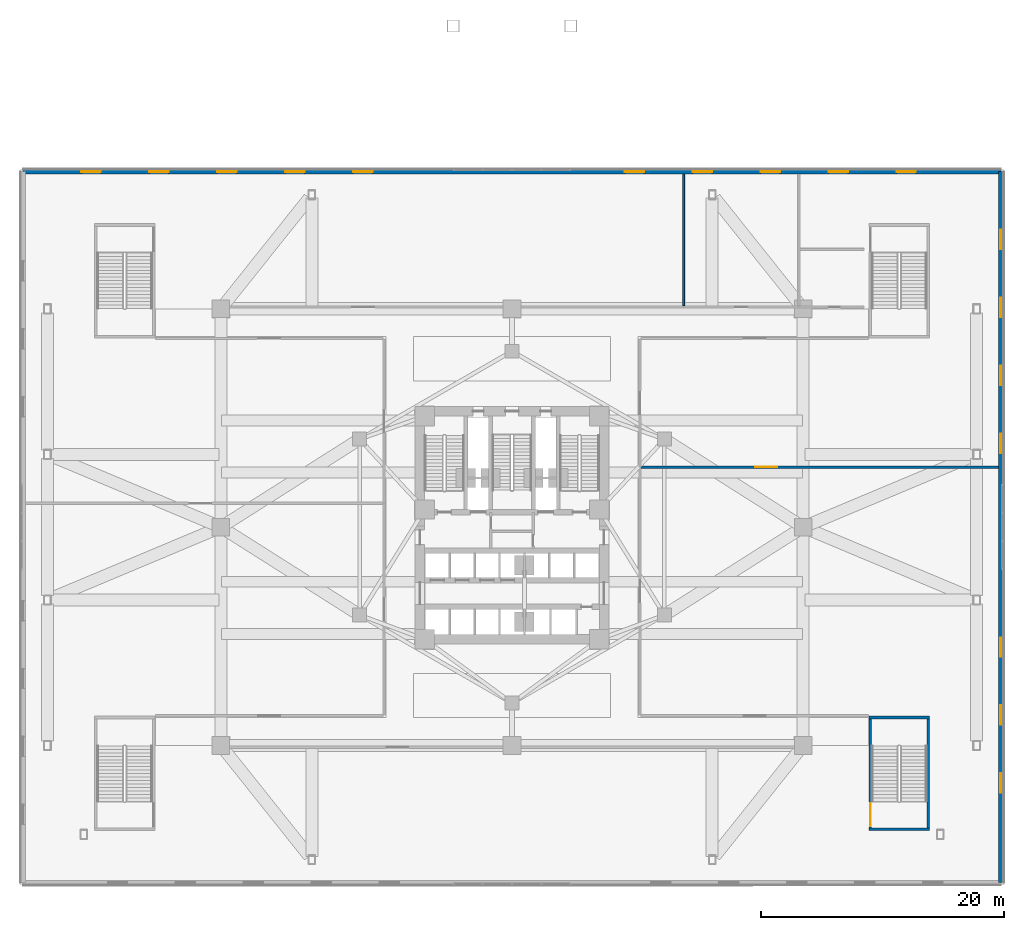
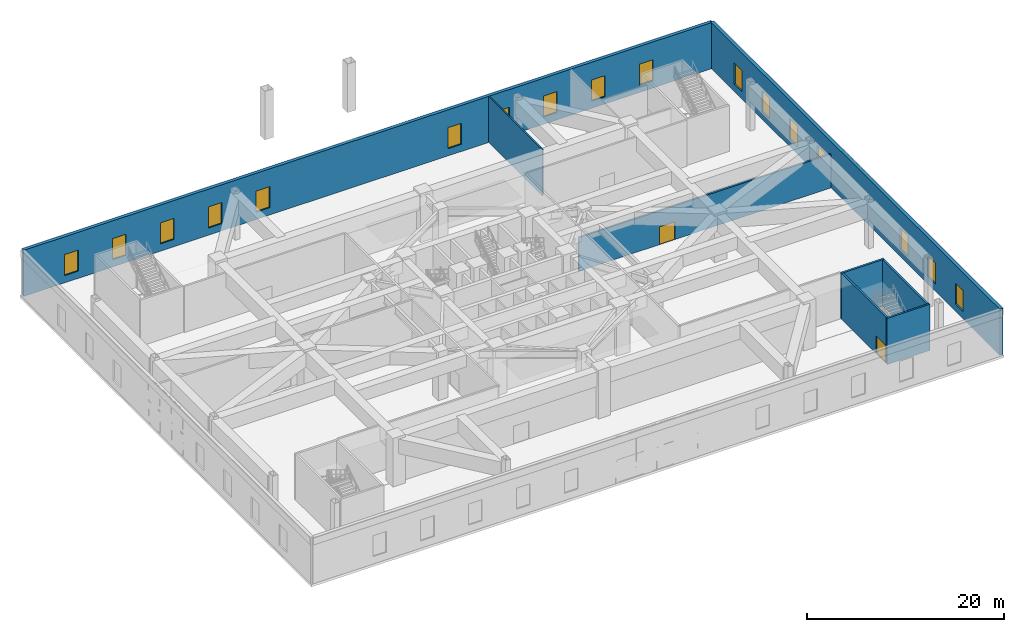
# One storey, part 14 of 24: 17 windows, 8 walls, 2 doors, 19 openings.
"""IFC4 building model written with IfcOpenShell, lengths in metres."""

import ifcopenshell
import ifcopenshell.guid

model = None  # the IFC model being written
_history = None  # IfcOwnerHistory: only IFC2X3 demands one
_inside = {}  # id of a spatial element -> (the spatial element, [elements in it])
_under = {}  # id of a project, library or spatial element -> (it, [spatial elements below it])
_declared = {}  # id of a project -> (the project, [libraries it declares])
_typed = {}  # id of a type object -> (the type object, [elements of that type])
_made_of = {}  # id of a material, layer set ... -> (it, [elements and type objects made of it])


def new_model(schema):
    """Start an empty IFC model of exactly this schema.

    Asked for "IFC4X3", IfcOpenShell would pick the latest addendum, in which some entities
    have other attributes; the version numbers below select the first issue.
    IFC2X3 requires an IfcOwnerHistory on every rooted entity: one is made here for all.
    """
    global model, _history
    if schema == "IFC4X3":
        model = ifcopenshell.file(schema_version=(4, 3, 0, 0))
    else:
        model = ifcopenshell.file(schema=schema)
    _inside.clear()
    _under.clear()
    _declared.clear()
    _typed.clear()
    _made_of.clear()
    _history = None
    if model.schema == "IFC2X3":
        org = make("IfcOrganization", Name="unknown")
        user = make(
            "IfcPersonAndOrganization",
            ThePerson=make("IfcPerson", FamilyName="unknown"),
            TheOrganization=org,
        )
        app = make(
            "IfcApplication",
            ApplicationDeveloper=org,
            Version="unknown",
            ApplicationFullName="unknown",
            ApplicationIdentifier="unknown",
        )
        _history = make(
            "IfcOwnerHistory",
            OwningUser=user,
            OwningApplication=app,
            ChangeAction="ADDED",
            CreationDate=0,
        )
    return model


def make(cls, **values):
    """One entity of the class cls with the attributes given. An attribute that is None is left unset."""
    return model.create_entity(
        cls, **{name: value for name, value in values.items() if value is not None}
    )


def rooted(cls, **values):
    """An entity with a GlobalId (a new one), such as an element, a storey or a relation."""
    return make(cls, GlobalId=ifcopenshell.guid.new(), OwnerHistory=_history, **values)


def si_unit(unit_type, name, prefix=None):
    """IfcSIUnit, for example si_unit("LENGTHUNIT", "METRE", prefix="MILLI")."""
    return make("IfcSIUnit", UnitType=unit_type, Prefix=prefix, Name=name)


def assignment(units):
    """IfcUnitAssignment: the units of a project."""
    return None if units is None else make("IfcUnitAssignment", Units=units)


def point(xyz):
    """IfcCartesianPoint."""
    return None if xyz is None else make("IfcCartesianPoint", Coordinates=xyz)


def direction(xyz):
    """IfcDirection."""
    return None if xyz is None else make("IfcDirection", DirectionRatios=xyz)


def frame(location, z_axis=None, x_axis=None):
    """IfcAxis2Placement3D, a coordinate frame: its origin and axes. An axis left out is left unset."""
    return make(
        "IfcAxis2Placement3D",
        Location=point(location),
        Axis=direction(z_axis),
        RefDirection=direction(x_axis),
    )


def frame_2d(location, x_axis=None):
    """IfcAxis2Placement2D, a coordinate frame in the plane: its origin and x axis."""
    return make(
        "IfcAxis2Placement2D", Location=point(location), RefDirection=direction(x_axis)
    )


def origin():
    """The frame at (0, 0, 0) with its axes left unset."""
    return frame((0.0, 0.0, 0.0))


def place(relative_to, where):
    """IfcLocalPlacement: puts the frame where relative to a parent placement (None: the world)."""
    return make(
        "IfcLocalPlacement", PlacementRelTo=relative_to, RelativePlacement=where
    )


def context(
    kind, dimensions, precision=None, world=None, true_north=None, identifier=None
):
    """IfcGeometricRepresentationContext, for example the 3D "Model" context."""
    return make(
        "IfcGeometricRepresentationContext",
        ContextIdentifier=identifier,
        ContextType=kind,
        CoordinateSpaceDimension=dimensions,
        Precision=precision,
        WorldCoordinateSystem=world,
        TrueNorth=true_north,
    )


def subcontext(parent, identifier, kind, view, scale=None):
    """IfcGeometricRepresentationSubContext, for example "Body" below "Model"."""
    return make(
        "IfcGeometricRepresentationSubContext",
        ContextIdentifier=identifier,
        ContextType=kind,
        ParentContext=parent,
        TargetScale=scale,
        TargetView=view,
    )


def project(units=None, contexts=None):
    """IfcProject with its units and contexts."""
    return rooted(
        "IfcProject",
        Name="project",
        RepresentationContexts=contexts,
        UnitsInContext=assignment(units),
    )


def spatial(cls, under=None, at=None, **own):
    """A site, building, storey or space (cls), placed at a placement, below another one or the project."""
    s = rooted(cls, ObjectPlacement=at, **own)
    if under is not None:
        _under.setdefault(under.id(), (under, []))[1].append(s)
    return s


def profile(cls, at=None, kind="AREA", **sizes):
    """A parametric profile (cls). Its sizes go by their IFC names, for example OverallWidth=200.0."""
    return make(cls, ProfileType=kind, Position=at, **sizes)


def rectangle(**sizes):
    """IfcRectangleProfileDef."""
    return profile("IfcRectangleProfileDef", **sizes)


def extrude(swept, where, along, depth):
    """IfcExtrudedAreaSolid: the profile swept, set in the frame where, extruded along a direction by depth."""
    return make(
        "IfcExtrudedAreaSolid",
        SweptArea=swept,
        Position=where,
        ExtrudedDirection=direction(along),
        Depth=depth,
    )


def shape(context_of_items, identifier, shape_type, items):
    """IfcShapeRepresentation: the items that make up one representation, for example the "Body"."""
    return make(
        "IfcShapeRepresentation",
        ContextOfItems=context_of_items,
        RepresentationIdentifier=identifier,
        RepresentationType=shape_type,
        Items=items,
    )


def material(Name=None, Category=None):
    """IfcMaterial."""
    return make("IfcMaterial", Name=Name, Category=Category)


def layer(
    of_material, thickness, ventilated=None, Name=None, Category=None, Priority=None
):
    """IfcMaterialLayer: one layer of a wall or slab, of a material (None: an air gap)."""
    return make(
        "IfcMaterialLayer",
        Material=of_material,
        LayerThickness=thickness,
        IsVentilated=ventilated,
        Name=Name,
        Category=Category,
        Priority=Priority,
    )


def layer_set(layers, Name=None):
    """IfcMaterialLayerSet."""
    return make("IfcMaterialLayerSet", MaterialLayers=layers, LayerSetName=Name)


def made_of(thing, what):
    """Note that an element or type object is made of a material, layer set ...; save() writes the relation."""
    if what is not None:
        _made_of.setdefault(what.id(), (what, []))[1].append(thing)
    return thing


def type_object(cls, material=None, **own):
    """A type object (cls), such as IfcWallType, which elements share."""
    return made_of(rooted(cls, **own), material)


def element(
    cls,
    number,
    at=None,
    inside=None,
    cuts=None,
    type_object=None,
    material=None,
    context=None,
    identifier="Body",
    shape_type=None,
    held_by="IfcProductDefinitionShape",
    body=None,
    shapes=None,
    **own,
):
    """One element of the class cls, such as IfcWall. Its Tag is "e" and its number.

    at: its placement. inside: the storey or other place that contains it. cuts: it is an
    opening in that element (IfcRelVoidsElement). A single representation is given by context,
    identifier, shape_type and body (its items); several are given by shapes. held_by: the class
    of the entity that holds the representations. save() writes the other relations.
    """
    e = rooted(cls, Tag="e%d" % number, ObjectPlacement=at, **own)
    if body is not None:
        shapes = [shape(context, identifier, shape_type, body)]
    if shapes is not None:
        e.Representation = make(held_by, Representations=shapes)
    if inside is not None:
        _inside.setdefault(inside.id(), (inside, []))[1].append(e)
    if cuts is not None:
        rooted(
            "IfcRelVoidsElement", RelatingBuildingElement=cuts, RelatedOpeningElement=e
        )
    if type_object is not None:
        _typed.setdefault(type_object.id(), (type_object, []))[1].append(e)
    return made_of(e, material)


def fill(opening, filler):
    """IfcRelFillsElement: the door or window that sits in an opening."""
    return rooted(
        "IfcRelFillsElement",
        RelatingOpeningElement=opening,
        RelatedBuildingElement=filler,
    )


def aggregate(whole, parts):
    """IfcRelAggregates: a whole, such as a stair, and the parts it consists of."""
    return rooted("IfcRelAggregates", RelatingObject=whole, RelatedObjects=parts)


def save(model, path):
    """Write the relations noted so far, then the file.

    IfcRelAggregates (storeys below a building ...), IfcRelContainedInSpatialStructure (elements
    in a storey), IfcRelDefinesByType, IfcRelAssociatesMaterial and IfcRelDeclares: one each for
    every whole, place, type object, material and project.
    """
    for whole, parts in _under.values():
        aggregate(whole, parts)
    for where, things in _inside.values():
        rooted(
            "IfcRelContainedInSpatialStructure",
            RelatedElements=things,
            RelatingStructure=where,
        )
    for kind, things in _typed.values():
        rooted("IfcRelDefinesByType", RelatedObjects=things, RelatingType=kind)
    for what, things in _made_of.values():
        rooted("IfcRelAssociatesMaterial", RelatedObjects=things, RelatingMaterial=what)
    for by, libraries in _declared.values():
        rooted("IfcRelDeclares", RelatingContext=by, RelatedDefinitions=libraries)
    model.write(path)


model = new_model("IFC4")

# Units and contexts
model_context = context("Model", 3, precision=1e-05, world=origin(), true_north=direction((0.0, 1.0)))
body_context = subcontext(model_context, "Body", "Model", "MODEL_VIEW")
ifc_project = project(units=[si_unit("LENGTHUNIT", "METRE"), si_unit("AREAUNIT", "SQUARE_METRE"), si_unit("VOLUMEUNIT", "CUBIC_METRE"), si_unit("PLANEANGLEUNIT", "RADIAN"), si_unit("MASSUNIT", "GRAM", prefix="KILO")], contexts=[model_context])

# Site, building, storey
site_placement = place(None, origin())
site = spatial("IfcSite", under=ifc_project, at=site_placement, CompositionType="ELEMENT")
building_placement = place(site_placement, origin())
building = spatial("IfcBuilding", under=site, at=building_placement, Name="Apsidion Concourse Tower", CompositionType="ELEMENT")
storey_placement = place(building_placement, frame((0.0, 0.0, 17.5)))
storey = spatial("IfcBuildingStorey", under=building, at=storey_placement, Name="L03", CompositionType="ELEMENT", Elevation=17.5)

# Wall, openings, windows
ifc_material_1 = material(Name="Precast concrete C40/50", Category="concrete")
ifc_layer_1 = layer(ifc_material_1, 0.360107421875)
ifc_layer_set_1 = layer_set([ifc_layer_1], Name="Precast concrete C40/50")
wall_type_1 = type_object("IfcWallType", Name="WL-EXT-360", PredefinedType="STANDARD", material=ifc_layer_set_1)
wall_1_placement = place(storey_placement, frame((-40.300048828125, 29.300048828125, 0.0), z_axis=(0.0, 0.0, 1.0), x_axis=(1.0, 0.0, 0.0)))
wall_1 = element("IfcWall", 1, at=wall_1_placement, inside=storey, type_object=wall_type_1, Name="L03 Podium Precast Stone Facade Wall N", PredefinedType="STANDARD", context=body_context, shape_type="SweptSolid", body=[
    extrude(rectangle(XDim=80.60009765625, YDim=0.360107421875, at=frame_2d((40.300048828125, 0.0))), origin(), (0.0, 0.0, 1.0), 5.699951171875),
])
opening_1_placement = place(wall_1_placement, frame((4.800048828125, 0.0, 0.89990234375)))
opening_1 = element("IfcOpeningElement", 2, at=opening_1_placement, cuts=wall_1, Name="Opening WN-02", PredefinedType="OPENING", context=body_context, shape_type="SweptSolid", body=[
    extrude(rectangle(XDim=1.60009765625, YDim=2.60009765625, at=frame_2d((0.800048828125, 1.300048828125))), frame((0.0, 0.18994140625, 0.0), z_axis=(0.0, -1.0, 0.0), x_axis=(1.0, 0.0, 0.0)), (0.0, 0.0, 1.0), 0.380126953125),
])
opening_2_placement = place(wall_1_placement, frame((10.39990234375, 0.0, 0.89990234375)))
opening_2 = element("IfcOpeningElement", 3, at=opening_2_placement, cuts=wall_1, Name="Opening WN-02", PredefinedType="OPENING", context=body_context, shape_type="SweptSolid", body=[
    extrude(rectangle(XDim=1.60009765625, YDim=2.60009765625, at=frame_2d((0.800048828125, 1.300048828125))), frame((0.0, 0.18994140625, 0.0), z_axis=(0.0, -1.0, 0.0), x_axis=(1.0, 0.0, 0.0)), (0.0, 0.0, 1.0), 0.380126953125),
])
opening_3_placement = place(wall_1_placement, frame((16.0, 0.0, 0.89990234375)))
opening_3 = element("IfcOpeningElement", 4, at=opening_3_placement, cuts=wall_1, Name="Opening WN-02", PredefinedType="OPENING", context=body_context, shape_type="SweptSolid", body=[
    extrude(rectangle(XDim=1.60009765625, YDim=2.60009765625, at=frame_2d((0.800048828125, 1.300048828125))), frame((0.0, 0.18994140625, 0.0), z_axis=(0.0, -1.0, 0.0), x_axis=(1.0, 0.0, 0.0)), (0.0, 0.0, 1.0), 0.380126953125),
])
opening_4_placement = place(wall_1_placement, frame((21.60009765625, 0.0, 0.89990234375)))
opening_4 = element("IfcOpeningElement", 5, at=opening_4_placement, cuts=wall_1, Name="Opening WN-02", PredefinedType="OPENING", context=body_context, shape_type="SweptSolid", body=[
    extrude(rectangle(XDim=1.60009765625, YDim=2.60009765625, at=frame_2d((0.800048828125, 1.300048828125))), frame((0.0, 0.18994140625, 0.0), z_axis=(0.0, -1.0, 0.0), x_axis=(1.0, 0.0, 0.0)), (0.0, 0.0, 1.0), 0.380126953125),
])
opening_5_placement = place(wall_1_placement, frame((27.199951171875, 0.0, 0.89990234375)))
opening_5 = element("IfcOpeningElement", 6, at=opening_5_placement, cuts=wall_1, Name="Opening WN-02", PredefinedType="OPENING", context=body_context, shape_type="SweptSolid", body=[
    extrude(rectangle(XDim=1.60009765625, YDim=2.60009765625, at=frame_2d((0.800048828125, 1.300048828125))), frame((0.0, 0.18994140625, 0.0), z_axis=(0.0, -1.0, 0.0), x_axis=(1.0, 0.0, 0.0)), (0.0, 0.0, 1.0), 0.380126953125),
])
opening_6_placement = place(wall_1_placement, frame((49.60009765625, 0.0, 0.89990234375)))
opening_6 = element("IfcOpeningElement", 7, at=opening_6_placement, cuts=wall_1, Name="Opening WN-02", PredefinedType="OPENING", context=body_context, shape_type="SweptSolid", body=[
    extrude(rectangle(XDim=1.60009765625, YDim=2.60009765625, at=frame_2d((0.800048828125, 1.300048828125))), frame((0.0, 0.18994140625, 0.0), z_axis=(0.0, -1.0, 0.0), x_axis=(1.0, 0.0, 0.0)), (0.0, 0.0, 1.0), 0.380126953125),
])
opening_7_placement = place(wall_1_placement, frame((55.199951171875, 0.0, 0.89990234375)))
opening_7 = element("IfcOpeningElement", 8, at=opening_7_placement, cuts=wall_1, Name="Opening WN-02", PredefinedType="OPENING", context=body_context, shape_type="SweptSolid", body=[
    extrude(rectangle(XDim=1.60009765625, YDim=2.60009765625, at=frame_2d((0.800048828125, 1.300048828125))), frame((0.0, 0.18994140625, 0.0), z_axis=(0.0, -1.0, 0.0), x_axis=(1.0, 0.0, 0.0)), (0.0, 0.0, 1.0), 0.380126953125),
])
opening_8_placement = place(wall_1_placement, frame((60.800048828125, 0.0, 0.89990234375)))
opening_8 = element("IfcOpeningElement", 9, at=opening_8_placement, cuts=wall_1, Name="Opening WN-02", PredefinedType="OPENING", context=body_context, shape_type="SweptSolid", body=[
    extrude(rectangle(XDim=1.60009765625, YDim=2.60009765625, at=frame_2d((0.800048828125, 1.300048828125))), frame((0.0, 0.18994140625, 0.0), z_axis=(0.0, -1.0, 0.0), x_axis=(1.0, 0.0, 0.0)), (0.0, 0.0, 1.0), 0.380126953125),
])
opening_9_placement = place(wall_1_placement, frame((66.39990234375, 0.0, 0.89990234375)))
opening_9 = element("IfcOpeningElement", 10, at=opening_9_placement, cuts=wall_1, Name="Opening WN-02", PredefinedType="OPENING", context=body_context, shape_type="SweptSolid", body=[
    extrude(rectangle(XDim=1.60009765625, YDim=2.60009765625, at=frame_2d((0.800048828125, 1.300048828125))), frame((0.0, 0.18994140625, 0.0), z_axis=(0.0, -1.0, 0.0), x_axis=(1.0, 0.0, 0.0)), (0.0, 0.0, 1.0), 0.380126953125),
])
opening_10_placement = place(wall_1_placement, frame((72.0, 0.0, 0.89990234375)))
opening_10 = element("IfcOpeningElement", 11, at=opening_10_placement, cuts=wall_1, Name="Opening WN-02", PredefinedType="OPENING", context=body_context, shape_type="SweptSolid", body=[
    extrude(rectangle(XDim=1.60009765625, YDim=2.60009765625, at=frame_2d((0.800048828125, 1.300048828125))), frame((0.0, 0.18994140625, 0.0), z_axis=(0.0, -1.0, 0.0), x_axis=(1.0, 0.0, 0.0)), (0.0, 0.0, 1.0), 0.380126953125),
])
ifc_material_2 = material(Name="Insulated laminated low-E glass", Category="glass")
window_type = type_object("IfcWindowType", Name="WN-POD-1626", PartitioningType="DOUBLE_PANEL_VERTICAL", PredefinedType="WINDOW", material=ifc_material_2)
window_1_placement = place(opening_1_placement, origin())
window_1 = element("IfcWindow", 12, at=window_1_placement, inside=storey, type_object=window_type, Name="L03 Podium Window N-01", OverallHeight=2.60009765625, OverallWidth=1.60009765625, PartitioningType="DOUBLE_PANEL_VERTICAL", PredefinedType="WINDOW", context=body_context, shape_type="SweptSolid", body=[
    extrude(rectangle(XDim=1.60009765625, YDim=2.60009765625, at=frame_2d((0.800048828125, 1.300048828125))), frame((0.0, 0.030029296875, 0.0), z_axis=(0.0, -1.0, 0.0), x_axis=(1.0, 0.0, 0.0)), (0.0, 0.0, 1.0), 0.06005859375),
])
fill(opening_1, window_1)
window_2_placement = place(opening_2_placement, origin())
window_2 = element("IfcWindow", 13, at=window_2_placement, inside=storey, type_object=window_type, Name="L03 Podium Window N-02", OverallHeight=2.60009765625, OverallWidth=1.60009765625, PartitioningType="DOUBLE_PANEL_VERTICAL", PredefinedType="WINDOW", context=body_context, shape_type="SweptSolid", body=[
    extrude(rectangle(XDim=1.60009765625, YDim=2.60009765625, at=frame_2d((0.800048828125, 1.300048828125))), frame((0.0, 0.030029296875, 0.0), z_axis=(0.0, -1.0, 0.0), x_axis=(1.0, 0.0, 0.0)), (0.0, 0.0, 1.0), 0.06005859375),
])
fill(opening_2, window_2)
window_3_placement = place(opening_3_placement, origin())
window_3 = element("IfcWindow", 14, at=window_3_placement, inside=storey, type_object=window_type, Name="L03 Podium Window N-03", OverallHeight=2.60009765625, OverallWidth=1.60009765625, PartitioningType="DOUBLE_PANEL_VERTICAL", PredefinedType="WINDOW", context=body_context, shape_type="SweptSolid", body=[
    extrude(rectangle(XDim=1.60009765625, YDim=2.60009765625, at=frame_2d((0.800048828125, 1.300048828125))), frame((0.0, 0.030029296875, 0.0), z_axis=(0.0, -1.0, 0.0), x_axis=(1.0, 0.0, 0.0)), (0.0, 0.0, 1.0), 0.06005859375),
])
fill(opening_3, window_3)
window_4_placement = place(opening_4_placement, origin())
window_4 = element("IfcWindow", 15, at=window_4_placement, inside=storey, type_object=window_type, Name="L03 Podium Window N-04", OverallHeight=2.60009765625, OverallWidth=1.60009765625, PartitioningType="DOUBLE_PANEL_VERTICAL", PredefinedType="WINDOW", context=body_context, shape_type="SweptSolid", body=[
    extrude(rectangle(XDim=1.60009765625, YDim=2.60009765625, at=frame_2d((0.800048828125, 1.300048828125))), frame((0.0, 0.030029296875, 0.0), z_axis=(0.0, -1.0, 0.0), x_axis=(1.0, 0.0, 0.0)), (0.0, 0.0, 1.0), 0.06005859375),
])
fill(opening_4, window_4)
window_5_placement = place(opening_5_placement, origin())
window_5 = element("IfcWindow", 16, at=window_5_placement, inside=storey, type_object=window_type, Name="L03 Podium Window N-05", OverallHeight=2.60009765625, OverallWidth=1.60009765625, PartitioningType="DOUBLE_PANEL_VERTICAL", PredefinedType="WINDOW", context=body_context, shape_type="SweptSolid", body=[
    extrude(rectangle(XDim=1.60009765625, YDim=2.60009765625, at=frame_2d((0.800048828125, 1.300048828125))), frame((0.0, 0.030029296875, 0.0), z_axis=(0.0, -1.0, 0.0), x_axis=(1.0, 0.0, 0.0)), (0.0, 0.0, 1.0), 0.06005859375),
])
fill(opening_5, window_5)
window_6_placement = place(opening_6_placement, origin())
window_6 = element("IfcWindow", 17, at=window_6_placement, inside=storey, type_object=window_type, Name="L03 Podium Window N-09", OverallHeight=2.60009765625, OverallWidth=1.60009765625, PartitioningType="DOUBLE_PANEL_VERTICAL", PredefinedType="WINDOW", context=body_context, shape_type="SweptSolid", body=[
    extrude(rectangle(XDim=1.60009765625, YDim=2.60009765625, at=frame_2d((0.800048828125, 1.300048828125))), frame((0.0, 0.030029296875, 0.0), z_axis=(0.0, -1.0, 0.0), x_axis=(1.0, 0.0, 0.0)), (0.0, 0.0, 1.0), 0.06005859375),
])
fill(opening_6, window_6)
window_7_placement = place(opening_7_placement, origin())
window_7 = element("IfcWindow", 18, at=window_7_placement, inside=storey, type_object=window_type, Name="L03 Podium Window N-10", OverallHeight=2.60009765625, OverallWidth=1.60009765625, PartitioningType="DOUBLE_PANEL_VERTICAL", PredefinedType="WINDOW", context=body_context, shape_type="SweptSolid", body=[
    extrude(rectangle(XDim=1.60009765625, YDim=2.60009765625, at=frame_2d((0.800048828125, 1.300048828125))), frame((0.0, 0.030029296875, 0.0), z_axis=(0.0, -1.0, 0.0), x_axis=(1.0, 0.0, 0.0)), (0.0, 0.0, 1.0), 0.06005859375),
])
fill(opening_7, window_7)
window_8_placement = place(opening_8_placement, origin())
window_8 = element("IfcWindow", 19, at=window_8_placement, inside=storey, type_object=window_type, Name="L03 Podium Window N-11", OverallHeight=2.60009765625, OverallWidth=1.60009765625, PartitioningType="DOUBLE_PANEL_VERTICAL", PredefinedType="WINDOW", context=body_context, shape_type="SweptSolid", body=[
    extrude(rectangle(XDim=1.60009765625, YDim=2.60009765625, at=frame_2d((0.800048828125, 1.300048828125))), frame((0.0, 0.030029296875, 0.0), z_axis=(0.0, -1.0, 0.0), x_axis=(1.0, 0.0, 0.0)), (0.0, 0.0, 1.0), 0.06005859375),
])
fill(opening_8, window_8)
window_9_placement = place(opening_9_placement, origin())
window_9 = element("IfcWindow", 20, at=window_9_placement, inside=storey, type_object=window_type, Name="L03 Podium Window N-12", OverallHeight=2.60009765625, OverallWidth=1.60009765625, PartitioningType="DOUBLE_PANEL_VERTICAL", PredefinedType="WINDOW", context=body_context, shape_type="SweptSolid", body=[
    extrude(rectangle(XDim=1.60009765625, YDim=2.60009765625, at=frame_2d((0.800048828125, 1.300048828125))), frame((0.0, 0.030029296875, 0.0), z_axis=(0.0, -1.0, 0.0), x_axis=(1.0, 0.0, 0.0)), (0.0, 0.0, 1.0), 0.06005859375),
])
fill(opening_9, window_9)
window_10_placement = place(opening_10_placement, origin())
window_10 = element("IfcWindow", 21, at=window_10_placement, inside=storey, type_object=window_type, Name="L03 Podium Window N-13", OverallHeight=2.60009765625, OverallWidth=1.60009765625, PartitioningType="DOUBLE_PANEL_VERTICAL", PredefinedType="WINDOW", context=body_context, shape_type="SweptSolid", body=[
    extrude(rectangle(XDim=1.60009765625, YDim=2.60009765625, at=frame_2d((0.800048828125, 1.300048828125))), frame((0.0, 0.030029296875, 0.0), z_axis=(0.0, -1.0, 0.0), x_axis=(1.0, 0.0, 0.0)), (0.0, 0.0, 1.0), 0.06005859375),
])
fill(opening_10, window_10)

wall_2_placement = place(storey_placement, frame((40.300048828125, 29.300048828125, 0.0), z_axis=(0.0, 0.0, 1.0), x_axis=(0.0, -1.0, 0.0)))
wall_2 = element("IfcWall", 22, at=wall_2_placement, inside=storey, type_object=wall_type_1, Name="L03 Podium Precast Stone Facade Wall E", PredefinedType="STANDARD", context=body_context, shape_type="SweptSolid", body=[
    extrude(rectangle(XDim=58.60009765625, YDim=0.360107421875, at=frame_2d((29.300048828125, 0.0))), origin(), (0.0, 0.0, 1.0), 5.699951171875),
])
opening_11_placement = place(wall_2_placement, frame((4.800048828125, 0.0, 0.89990234375)))
opening_11 = element("IfcOpeningElement", 23, at=opening_11_placement, cuts=wall_2, Name="Opening WN-02", PredefinedType="OPENING", context=body_context, shape_type="SweptSolid", body=[
    extrude(rectangle(XDim=1.60009765625, YDim=2.60009765625, at=frame_2d((0.800048828125, 1.300048828125))), frame((0.0, 0.18994140625, 0.0), z_axis=(0.0, -1.0, 0.0), x_axis=(1.0, 0.0, 0.0)), (0.0, 0.0, 1.0), 0.380126953125),
])
opening_12_placement = place(wall_2_placement, frame((10.39990234375, 0.0, 0.89990234375)))
opening_12 = element("IfcOpeningElement", 24, at=opening_12_placement, cuts=wall_2, Name="Opening WN-02", PredefinedType="OPENING", context=body_context, shape_type="SweptSolid", body=[
    extrude(rectangle(XDim=1.60009765625, YDim=2.60009765625, at=frame_2d((0.800048828125, 1.300048828125))), frame((0.0, 0.18994140625, 0.0), z_axis=(0.0, -1.0, 0.0), x_axis=(1.0, 0.0, 0.0)), (0.0, 0.0, 1.0), 0.380126953125),
])
opening_13_placement = place(wall_2_placement, frame((16.0, 0.0, 0.89990234375)))
opening_13 = element("IfcOpeningElement", 25, at=opening_13_placement, cuts=wall_2, Name="Opening WN-02", PredefinedType="OPENING", context=body_context, shape_type="SweptSolid", body=[
    extrude(rectangle(XDim=1.60009765625, YDim=2.60009765625, at=frame_2d((0.800048828125, 1.300048828125))), frame((0.0, 0.18994140625, 0.0), z_axis=(0.0, -1.0, 0.0), x_axis=(1.0, 0.0, 0.0)), (0.0, 0.0, 1.0), 0.380126953125),
])
opening_14_placement = place(wall_2_placement, frame((21.60009765625, 0.0, 0.89990234375)))
opening_14 = element("IfcOpeningElement", 26, at=opening_14_placement, cuts=wall_2, Name="Opening WN-02", PredefinedType="OPENING", context=body_context, shape_type="SweptSolid", body=[
    extrude(rectangle(XDim=1.60009765625, YDim=2.60009765625, at=frame_2d((0.800048828125, 1.300048828125))), frame((0.0, 0.18994140625, 0.0), z_axis=(0.0, -1.0, 0.0), x_axis=(1.0, 0.0, 0.0)), (0.0, 0.0, 1.0), 0.380126953125),
])
opening_15_placement = place(wall_2_placement, frame((38.39990234375, 0.0, 0.89990234375)))
opening_15 = element("IfcOpeningElement", 27, at=opening_15_placement, cuts=wall_2, Name="Opening WN-02", PredefinedType="OPENING", context=body_context, shape_type="SweptSolid", body=[
    extrude(rectangle(XDim=1.60009765625, YDim=2.60009765625, at=frame_2d((0.800048828125, 1.300048828125))), frame((0.0, 0.18994140625, 0.0), z_axis=(0.0, -1.0, 0.0), x_axis=(1.0, 0.0, 0.0)), (0.0, 0.0, 1.0), 0.380126953125),
])
opening_16_placement = place(wall_2_placement, frame((44.0, 0.0, 0.89990234375)))
opening_16 = element("IfcOpeningElement", 28, at=opening_16_placement, cuts=wall_2, Name="Opening WN-02", PredefinedType="OPENING", context=body_context, shape_type="SweptSolid", body=[
    extrude(rectangle(XDim=1.60009765625, YDim=2.60009765625, at=frame_2d((0.800048828125, 1.300048828125))), frame((0.0, 0.18994140625, 0.0), z_axis=(0.0, -1.0, 0.0), x_axis=(1.0, 0.0, 0.0)), (0.0, 0.0, 1.0), 0.380126953125),
])
opening_17_placement = place(wall_2_placement, frame((49.60009765625, 0.0, 0.89990234375)))
opening_17 = element("IfcOpeningElement", 29, at=opening_17_placement, cuts=wall_2, Name="Opening WN-02", PredefinedType="OPENING", context=body_context, shape_type="SweptSolid", body=[
    extrude(rectangle(XDim=1.60009765625, YDim=2.60009765625, at=frame_2d((0.800048828125, 1.300048828125))), frame((0.0, 0.18994140625, 0.0), z_axis=(0.0, -1.0, 0.0), x_axis=(1.0, 0.0, 0.0)), (0.0, 0.0, 1.0), 0.380126953125),
])
window_11_placement = place(opening_11_placement, origin())
window_11 = element("IfcWindow", 30, at=window_11_placement, inside=storey, type_object=window_type, Name="L03 Podium Window E-01", OverallHeight=2.60009765625, OverallWidth=1.60009765625, PartitioningType="DOUBLE_PANEL_VERTICAL", PredefinedType="WINDOW", context=body_context, shape_type="SweptSolid", body=[
    extrude(rectangle(XDim=1.60009765625, YDim=2.60009765625, at=frame_2d((0.800048828125, 1.300048828125))), frame((0.0, 0.030029296875, 0.0), z_axis=(0.0, -1.0, 0.0), x_axis=(1.0, 0.0, 0.0)), (0.0, 0.0, 1.0), 0.06005859375),
])
fill(opening_11, window_11)
window_12_placement = place(opening_12_placement, origin())
window_12 = element("IfcWindow", 31, at=window_12_placement, inside=storey, type_object=window_type, Name="L03 Podium Window E-02", OverallHeight=2.60009765625, OverallWidth=1.60009765625, PartitioningType="DOUBLE_PANEL_VERTICAL", PredefinedType="WINDOW", context=body_context, shape_type="SweptSolid", body=[
    extrude(rectangle(XDim=1.60009765625, YDim=2.60009765625, at=frame_2d((0.800048828125, 1.300048828125))), frame((0.0, 0.030029296875, 0.0), z_axis=(0.0, -1.0, 0.0), x_axis=(1.0, 0.0, 0.0)), (0.0, 0.0, 1.0), 0.06005859375),
])
fill(opening_12, window_12)
window_13_placement = place(opening_13_placement, origin())
window_13 = element("IfcWindow", 32, at=window_13_placement, inside=storey, type_object=window_type, Name="L03 Podium Window E-03", OverallHeight=2.60009765625, OverallWidth=1.60009765625, PartitioningType="DOUBLE_PANEL_VERTICAL", PredefinedType="WINDOW", context=body_context, shape_type="SweptSolid", body=[
    extrude(rectangle(XDim=1.60009765625, YDim=2.60009765625, at=frame_2d((0.800048828125, 1.300048828125))), frame((0.0, 0.030029296875, 0.0), z_axis=(0.0, -1.0, 0.0), x_axis=(1.0, 0.0, 0.0)), (0.0, 0.0, 1.0), 0.06005859375),
])
fill(opening_13, window_13)
window_14_placement = place(opening_14_placement, origin())
window_14 = element("IfcWindow", 33, at=window_14_placement, inside=storey, type_object=window_type, Name="L03 Podium Window E-04", OverallHeight=2.60009765625, OverallWidth=1.60009765625, PartitioningType="DOUBLE_PANEL_VERTICAL", PredefinedType="WINDOW", context=body_context, shape_type="SweptSolid", body=[
    extrude(rectangle(XDim=1.60009765625, YDim=2.60009765625, at=frame_2d((0.800048828125, 1.300048828125))), frame((0.0, 0.030029296875, 0.0), z_axis=(0.0, -1.0, 0.0), x_axis=(1.0, 0.0, 0.0)), (0.0, 0.0, 1.0), 0.06005859375),
])
fill(opening_14, window_14)
window_15_placement = place(opening_15_placement, origin())
window_15 = element("IfcWindow", 34, at=window_15_placement, inside=storey, type_object=window_type, Name="L03 Podium Window E-07", OverallHeight=2.60009765625, OverallWidth=1.60009765625, PartitioningType="DOUBLE_PANEL_VERTICAL", PredefinedType="WINDOW", context=body_context, shape_type="SweptSolid", body=[
    extrude(rectangle(XDim=1.60009765625, YDim=2.60009765625, at=frame_2d((0.800048828125, 1.300048828125))), frame((0.0, 0.030029296875, 0.0), z_axis=(0.0, -1.0, 0.0), x_axis=(1.0, 0.0, 0.0)), (0.0, 0.0, 1.0), 0.06005859375),
])
fill(opening_15, window_15)
window_16_placement = place(opening_16_placement, origin())
window_16 = element("IfcWindow", 35, at=window_16_placement, inside=storey, type_object=window_type, Name="L03 Podium Window E-08", OverallHeight=2.60009765625, OverallWidth=1.60009765625, PartitioningType="DOUBLE_PANEL_VERTICAL", PredefinedType="WINDOW", context=body_context, shape_type="SweptSolid", body=[
    extrude(rectangle(XDim=1.60009765625, YDim=2.60009765625, at=frame_2d((0.800048828125, 1.300048828125))), frame((0.0, 0.030029296875, 0.0), z_axis=(0.0, -1.0, 0.0), x_axis=(1.0, 0.0, 0.0)), (0.0, 0.0, 1.0), 0.06005859375),
])
fill(opening_16, window_16)
window_17_placement = place(opening_17_placement, origin())
window_17 = element("IfcWindow", 36, at=window_17_placement, inside=storey, type_object=window_type, Name="L03 Podium Window E-09", OverallHeight=2.60009765625, OverallWidth=1.60009765625, PartitioningType="DOUBLE_PANEL_VERTICAL", PredefinedType="WINDOW", context=body_context, shape_type="SweptSolid", body=[
    extrude(rectangle(XDim=1.60009765625, YDim=2.60009765625, at=frame_2d((0.800048828125, 1.300048828125))), frame((0.0, 0.030029296875, 0.0), z_axis=(0.0, -1.0, 0.0), x_axis=(1.0, 0.0, 0.0)), (0.0, 0.0, 1.0), 0.06005859375),
])
fill(opening_17, window_17)

# Wall, opening, door
ifc_material_3 = material(Name="Anodised aluminium EN AW-6063 T6", Category="aluminium")
ifc_layer_2 = layer(ifc_material_3, 0.2099609375)
ifc_layer_set_2 = layer_set([ifc_layer_2], Name="Anodised aluminium EN AW-6063 T6")
wall_type_2 = type_object("IfcWallType", Name="WL-INT-MOV-210", PredefinedType="MOVABLE", material=ifc_layer_set_2)
wall_3_placement = place(storey_placement, frame((10.64990234375, 4.949951171875, 0.0), z_axis=(0.0, 0.0, 1.0), x_axis=(1.0, 0.0, 0.0)))
wall_3 = element("IfcWall", 37, at=wall_3_placement, inside=storey, type_object=wall_type_2, Name="L03 Interior Partition WL-L03-EH", PredefinedType="MOVABLE", context=body_context, shape_type="SweptSolid", body=[
    extrude(rectangle(XDim=29.455078125, YDim=0.2099609375, at=frame_2d((14.7275390625, 0.0))), origin(), (0.0, 0.0, 1.0), 4.179931640625),
])
opening_18_placement = place(wall_3_placement, frame((9.4091796875, 0.0, 0.0)))
opening_18 = element("IfcOpeningElement", 38, at=opening_18_placement, cuts=wall_3, Name="Opening D-06D", PredefinedType="OPENING", context=body_context, shape_type="SweptSolid", body=[
    extrude(rectangle(XDim=1.800048828125, YDim=2.199951171875, at=frame_2d((0.89990234375, 1.10009765625))), frame((0.0, 0.114990234375, 0.0), z_axis=(0.0, -1.0, 0.0), x_axis=(1.0, 0.0, 0.0)), (0.0, 0.0, 1.0), 0.22998046875),
])
ifc_material_4 = material(Name="Brushed stainless steel 316", Category="steel")
door_type_1 = type_object("IfcDoorType", Name="DR-INT-D06D", OperationType="DOUBLE_DOOR_SINGLE_SWING", PredefinedType="DOOR", material=ifc_material_4)
door_1_placement = place(opening_18_placement, origin())
door_1 = element("IfcDoor", 39, at=door_1_placement, inside=storey, type_object=door_type_1, Name="L03 Convention Door WL-L03-EH", OperationType="DOUBLE_DOOR_SINGLE_SWING", OverallHeight=2.199951171875, OverallWidth=1.800048828125, PredefinedType="DOOR", context=body_context, shape_type="SweptSolid", body=[
    extrude(rectangle(XDim=1.800048828125, YDim=2.199951171875, at=frame_2d((0.89990234375, 1.10009765625))), frame((0.0, 0.02490234375, 0.0), z_axis=(0.0, -1.0, 0.0), x_axis=(1.0, 0.0, 0.0)), (0.0, 0.0, 1.0), 0.050048828125),
])
fill(opening_18, door_1)

# Walls
ifc_material_5 = material(Name="Gypsum plasterboard partition")
ifc_layer_3 = layer(ifc_material_5, 0.14990234375)
ifc_layer_set_3 = layer_set([ifc_layer_3], Name="Gypsum plasterboard partition")
wall_type_3 = type_object("IfcWallType", Name="WL-INT-PAR-150", PredefinedType="PARTITIONING", material=ifc_layer_set_3)
wall_4_placement = place(storey_placement, frame((14.14990234375, 18.25, 0.0), z_axis=(0.0, 0.0, 1.0), x_axis=(0.0, 1.0, 0.0)))
element("IfcWall", 40, at=wall_4_placement, inside=storey, type_object=wall_type_3, Name="L03 Interior Partition WL-L03-WCV1", PredefinedType="PARTITIONING", context=body_context, shape_type="SweptSolid", body=[
    extrude(rectangle(XDim=10.85498046875, YDim=0.14990234375, at=frame_2d((5.427490234375, 0.0))), origin(), (0.0, 0.0, 1.0), 5.699951171875),
])
ifc_material_6 = material(Name="Concrete C50/60", Category="concrete")
ifc_layer_4 = layer(ifc_material_6, 0.219970703125)
ifc_layer_set_4 = layer_set([ifc_layer_4], Name="Concrete C50/60")
wall_type_4 = type_object("IfcWallType", Name="WL-SH-220", PredefinedType="SHEAR", material=ifc_layer_set_4)
for number, where, z_axis, x_axis, name in (
    (41, (29.429931640625, -24.909912109375, 0.0), (0.0, 0.0, 1.0), (1.0, 0.0, 0.0), "L03 Podium Stair ST-P2 Core Shear Wall S"),
    (42, (29.429931640625, -15.68994140625, 0.0), (0.0, 0.0, 1.0), (1.0, 0.0, 0.0), "L03 Podium Stair ST-P2 Core Shear Wall N"),
):
    element("IfcWall", number, at=place(storey_placement, frame(where, z_axis=z_axis, x_axis=x_axis)), inside=storey, type_object=wall_type_4, Name=name, PredefinedType="SHEAR", context=body_context, shape_type="SweptSolid", body=[
        extrude(rectangle(XDim=4.989990234375, YDim=0.219970703125, at=frame_2d((2.4951171875, 0.0))), origin(), (0.0, 0.0, 1.0), 5.699951171875),
    ])

# Wall, opening, door
wall_5_placement = place(storey_placement, frame((29.5400390625, -24.800048828125, 0.0), z_axis=(0.0, 0.0, 1.0), x_axis=(0.0, 1.0, 0.0)))
wall_5 = element("IfcWall", 43, at=wall_5_placement, inside=storey, type_object=wall_type_4, Name="L03 Podium Stair ST-P2 Core Shear Wall W", PredefinedType="SHEAR", context=body_context, shape_type="SweptSolid", body=[
    extrude(rectangle(XDim=9.0, YDim=0.219970703125, at=frame_2d((4.5, 0.0))), origin(), (0.0, 0.0, 1.0), 5.699951171875),
])
opening_19_placement = place(wall_5_placement, frame((0.139892578125, 0.0, 0.0)))
opening_19 = element("IfcOpeningElement", 44, at=opening_19_placement, cuts=wall_5, Name="Opening D-07D", PredefinedType="OPENING", context=body_context, shape_type="SweptSolid", body=[
    extrude(rectangle(XDim=1.89990234375, YDim=2.199951171875, at=frame_2d((0.949951171875, 1.10009765625))), frame((0.0, 0.1201171875, 0.0), z_axis=(0.0, -1.0, 0.0), x_axis=(1.0, 0.0, 0.0)), (0.0, 0.0, 1.0), 0.239990234375),
])
door_type_2 = type_object("IfcDoorType", Name="DR-INT-D07D", OperationType="DOUBLE_DOOR_SINGLE_SWING", PredefinedType="DOOR", material=ifc_material_4)
door_2_placement = place(opening_19_placement, origin())
door_2 = element("IfcDoor", 45, at=door_2_placement, inside=storey, type_object=door_type_2, Name="L03 Podium Exit Stair ST-P2 Entry Door", OperationType="DOUBLE_DOOR_SINGLE_SWING", OverallHeight=2.199951171875, OverallWidth=1.89990234375, PredefinedType="DOOR", context=body_context, shape_type="SweptSolid", body=[
    extrude(rectangle(XDim=1.89990234375, YDim=2.199951171875, at=frame_2d((0.949951171875, 1.10009765625))), frame((0.0, 0.02490234375, 0.0), z_axis=(0.0, -1.0, 0.0), x_axis=(1.0, 0.0, 0.0)), (0.0, 0.0, 1.0), 0.050048828125),
])
fill(opening_19, door_2)

# Wall
wall_6_placement = place(storey_placement, frame((34.31005859375, -24.800048828125, 0.0), z_axis=(0.0, 0.0, 1.0), x_axis=(0.0, 1.0, 0.0)))
element("IfcWall", 46, at=wall_6_placement, inside=storey, type_object=wall_type_4, Name="L03 Podium Stair ST-P2 Core Shear Wall E", PredefinedType="SHEAR", context=body_context, shape_type="SweptSolid", body=[
    extrude(rectangle(XDim=9.0, YDim=0.219970703125, at=frame_2d((4.5, 0.0))), origin(), (0.0, 0.0, 1.0), 5.699951171875),
])

save(model, "model.ifc")
